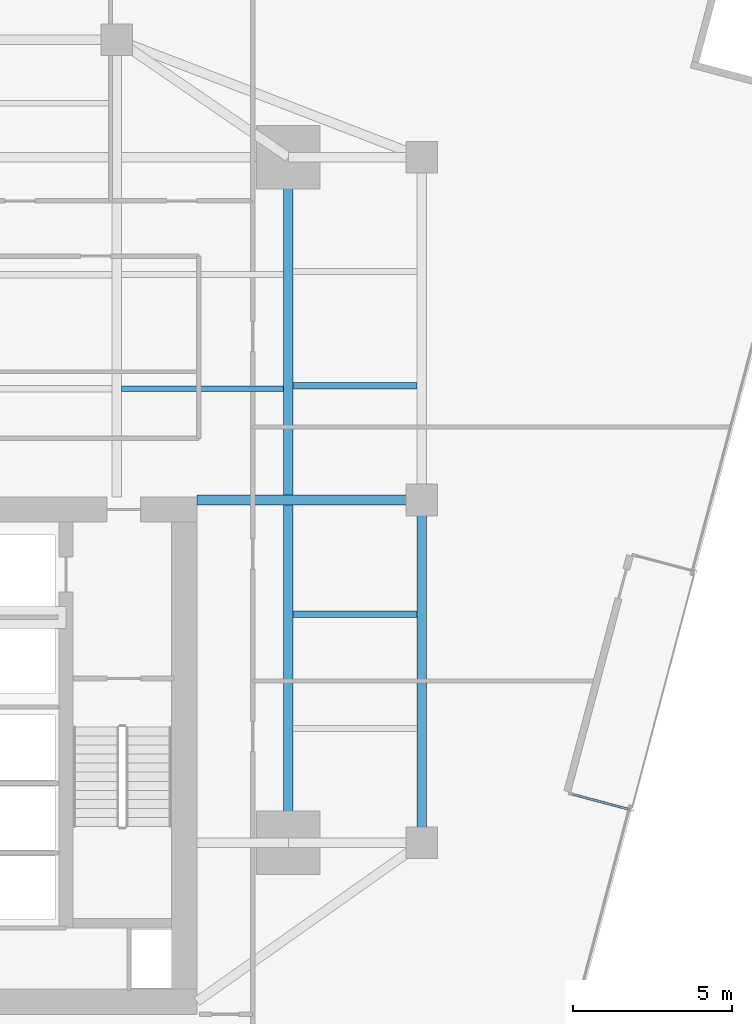
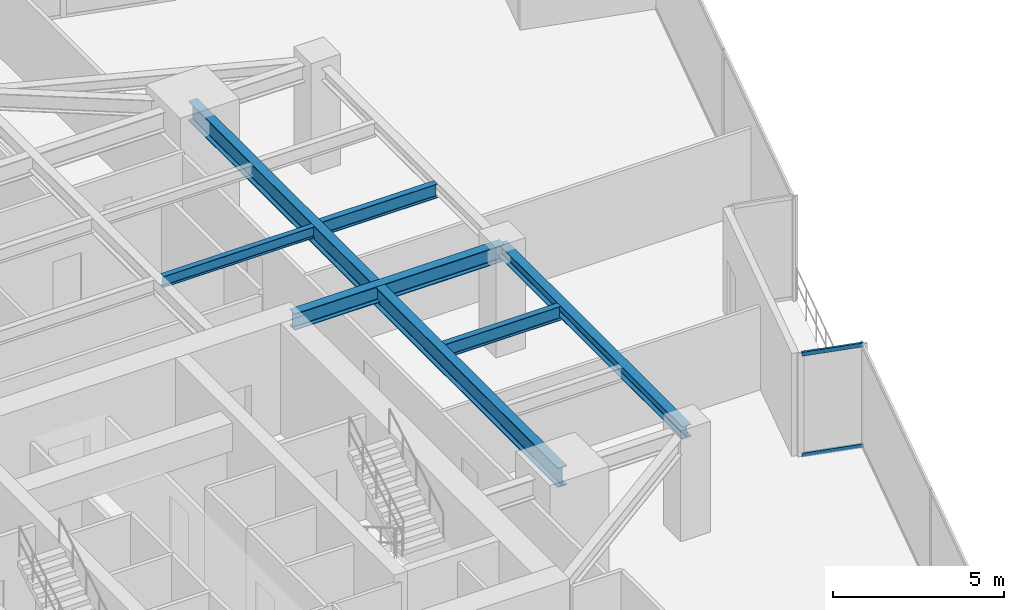
# One storey, part 12 of 27: 6 beams, 2 members, 1 element without a shape of its own.
"""IFC4 building model written with IfcOpenShell, lengths in metres."""

from ifc_helpers import new_model, si_unit, direction, frame, origin, origin_2d, place, context, subcontext, project, spatial, hollow_rectangle, i_section, extrude, source, transform, mapped, material, material_profile, profile_set, type_object, type_shapes, element, aggregate, save


model = new_model("IFC4")

# Units and contexts
model_context = context("Model", 3, precision=1e-05, world=origin(), true_north=direction((0.0, 1.0)))
body_context = subcontext(model_context, "Body", "Model", "MODEL_VIEW")
ifc_project = project(units=[si_unit("LENGTHUNIT", "METRE"), si_unit("AREAUNIT", "SQUARE_METRE"), si_unit("VOLUMEUNIT", "CUBIC_METRE"), si_unit("PLANEANGLEUNIT", "RADIAN"), si_unit("MASSUNIT", "GRAM", prefix="KILO")], contexts=[model_context])

# Site, building, storey
site_placement = place(None, origin())
site = spatial("IfcSite", under=ifc_project, at=site_placement, CompositionType="ELEMENT")
building_placement = place(site_placement, origin())
building = spatial("IfcBuilding", under=site, at=building_placement, Name="Krantzveldt Concourse Tower", CompositionType="ELEMENT")
storey_placement = place(building_placement, frame((0.0, 0.0, 105.85009765625)))
storey = spatial("IfcBuildingStorey", under=building, at=storey_placement, Name="L25", CompositionType="ELEMENT", Elevation=105.85009765625)

# Beams
ifc_material_1 = material(Name="Steel S355J2", Category="steel")
ifc_material_profile_1 = material_profile(ifc_material_1, i_section(OverallWidth=0.300048828125, OverallDepth=0.699951171875, WebThickness=0.01708984375, FlangeThickness=0.031982421875, FilletRadius=0.027099609375, at=origin_2d()), Name="Steel S355J2", Category="steel")
ifc_profile_set_1 = profile_set([ifc_material_profile_1], Name="Steel S355J2 - HEB 700")
beam_type_1 = type_object("IfcBeamType", Name="BM-B-HEB700", PredefinedType="BEAM", material=ifc_profile_set_1)
shared_shape_1 = source(origin(), body_context, "Body", "SweptSolid", [
    extrude(i_section(OverallWidth=0.300048828125, OverallDepth=0.699951171875, WebThickness=0.01708984375, FlangeThickness=0.031982421875, FilletRadius=0.027099609375, at=origin_2d()), origin(), (0.0, 0.0, 1.0), 21.60009765625),
])
type_shapes(beam_type_1, [shared_shape_1])
beam_1_placement = place(storey_placement, frame((46.800048828125, 15.89990234375, 3.31982421875), z_axis=(0.0, 1.0, 0.0), x_axis=(-1.0, 0.0, 0.0)))
element("IfcBeam", 1, at=beam_1_placement, inside=storey, type_object=beam_type_1, Name="L25 Tower Girder BG-ME", PredefinedType="BEAM", context=body_context, shape_type="MappedRepresentation", body=[
    mapped(shared_shape_1, transform((0.0, 0.0, 0.0), x_axis=(1.0, 0.0, 0.0), y_axis=(0.0, 1.0, 0.0), z_axis=(0.0, 0.0, 1.0), scale=1.0)),
])
ifc_material_2 = material(Name="Steel S355JR", Category="steel")
ifc_material_profile_2 = material_profile(ifc_material_2, i_section(OverallWidth=0.300048828125, OverallDepth=0.590087890625, WebThickness=0.012939453125, FlangeThickness=0.02490234375, FilletRadius=0.027099609375, at=origin_2d()), Name="Steel S355JR", Category="steel")
ifc_profile_set_2 = profile_set([ifc_material_profile_2], Name="Steel S355JR - HEA 600")
beam_type_2 = type_object("IfcBeamType", Name="BM-B-HEA600", PredefinedType="BEAM", material=ifc_profile_set_2)
shared_shape_2 = source(origin(), body_context, "Body", "SweptSolid", [
    extrude(i_section(OverallWidth=0.300048828125, OverallDepth=0.590087890625, WebThickness=0.012939453125, FlangeThickness=0.02490234375, FilletRadius=0.027099609375, at=origin_2d()), origin(), (0.0, 0.0, 1.0), 7.080078125),
])
type_shapes(beam_type_2, [shared_shape_2])
beam_2_placement = place(storey_placement, frame((43.919921875, 26.699951171875, 3.375), z_axis=(1.0, 0.0, 0.0), x_axis=(0.0, 1.0, 0.0)))
element("IfcBeam", 2, at=beam_2_placement, inside=storey, type_object=beam_type_2, Name="L25 Tower Girder BG-CE2", PredefinedType="BEAM", context=body_context, shape_type="MappedRepresentation", body=[
    mapped(shared_shape_2, transform((0.0, 0.0, 0.0), x_axis=(1.0, 0.0, 0.0), y_axis=(0.0, 1.0, 0.0), z_axis=(0.0, 0.0, 1.0), scale=1.0)),
])
ifc_material_profile_3 = material_profile(ifc_material_2, i_section(OverallWidth=0.300048828125, OverallDepth=0.43994140625, WebThickness=0.011474609375, FlangeThickness=0.02099609375, FilletRadius=0.027099609375, at=origin_2d()), Name="Steel S355JR", Category="steel")
ifc_profile_set_3 = profile_set([ifc_material_profile_3], Name="Steel S355JR - HEA 450")
beam_type_3 = type_object("IfcBeamType", Name="BM-SP-HEA450", PredefinedType="SPANDREL", material=ifc_profile_set_3)
shared_shape_3 = source(origin(), body_context, "Body", "SweptSolid", [
    extrude(i_section(OverallWidth=0.300048828125, OverallDepth=0.43994140625, WebThickness=0.011474609375, FlangeThickness=0.02099609375, FilletRadius=0.027099609375, at=origin_2d()), origin(), (0.0, 0.0, 1.0), 10.800048828125),
])
type_shapes(beam_type_3, [shared_shape_3])
beam_3_placement = place(storey_placement, frame((51.0, 26.699951171875, 3.449951171875), z_axis=(0.0, -1.0, 0.0), x_axis=(1.0, 0.0, 0.0)))
element("IfcBeam", 3, at=beam_3_placement, inside=storey, type_object=beam_type_3, Name="L25 Tower Girder SP-R07", PredefinedType="SPANDREL", context=body_context, shape_type="MappedRepresentation", body=[
    mapped(shared_shape_3, transform((0.0, 0.0, 0.0), x_axis=(1.0, 0.0, 0.0), y_axis=(0.0, 1.0, 0.0), z_axis=(0.0, 0.0, 1.0), scale=1.0)),
])
ifc_material_profile_4 = material_profile(ifc_material_2, i_section(OverallWidth=0.179931640625, OverallDepth=0.39990234375, WebThickness=0.008544921875, FlangeThickness=0.013427734375, FilletRadius=0.02099609375, at=origin_2d()), Name="Steel S355JR", Category="steel")
ifc_profile_set_4 = profile_set([ifc_material_profile_4], Name="Steel S355JR - IPE 400")
beam_type_4 = type_object("IfcBeamType", Name="BM-J-IPE400", PredefinedType="JOIST", material=ifc_profile_set_4)
shared_shape_4 = source(origin(), body_context, "Body", "SweptSolid", [
    extrude(i_section(OverallWidth=0.179931640625, OverallDepth=0.39990234375, WebThickness=0.008544921875, FlangeThickness=0.013427734375, FilletRadius=0.02099609375, at=origin_2d()), origin(), (0.0, 0.0, 1.0), 5.099853515625),
])
type_shapes(beam_type_4, [shared_shape_4])
beam_4_placement = place(storey_placement, frame((41.550048828125, 30.199951171875, 3.469970703125), z_axis=(1.0, 0.0, 0.0), x_axis=(0.0, 1.0, 0.0)))
element("IfcBeam", 4, at=beam_4_placement, inside=storey, type_object=beam_type_4, Name="L25 Secondary Floor Joist JN-E1", PredefinedType="JOIST", context=body_context, shape_type="MappedRepresentation", body=[
    mapped(shared_shape_4, transform((0.0, 0.0, 0.0), x_axis=(1.0, 0.0, 0.0), y_axis=(0.0, 1.0, 0.0), z_axis=(0.0, 0.0, 1.0), scale=1.0)),
])
ifc_material_profile_5 = material_profile(ifc_material_2, i_section(OverallWidth=0.199951171875, OverallDepth=0.5, WebThickness=0.01025390625, FlangeThickness=0.01611328125, FilletRadius=0.02099609375, at=origin_2d()), Name="Steel S355JR", Category="steel")
ifc_profile_set_5 = profile_set([ifc_material_profile_5], Name="Steel S355JR - IPE 500")
beam_type_5 = type_object("IfcBeamType", Name="BM-J-IPE500", PredefinedType="JOIST", material=ifc_profile_set_5)
shared_shape_5 = source(origin(), body_context, "Body", "SweptSolid", [
    extrude(i_section(OverallWidth=0.199951171875, OverallDepth=0.5, WebThickness=0.01025390625, FlangeThickness=0.01611328125, FilletRadius=0.02099609375, at=origin_2d()), origin(), (0.0, 0.0, 1.0), 3.900146484375),
])
type_shapes(beam_type_5, [shared_shape_5])
for number, where, z_axis, x_axis, name in (
    (5, (46.949951171875, 23.10009765625, 3.419921875), (1.0, 0.0, 0.0), (0.0, 1.0, 0.0), "L25 Secondary Floor Joist JE-2"),
    (6, (46.949951171875, 30.300048828125, 3.419921875), (1.0, 0.0, 0.0), (0.0, 1.0, 0.0), "L25 Secondary Floor Joist JE-3"),
):
    element("IfcBeam", number, at=place(storey_placement, frame(where, z_axis=z_axis, x_axis=x_axis)), inside=storey, type_object=beam_type_5, Name=name, PredefinedType="JOIST", context=body_context, shape_type="MappedRepresentation", body=[
        mapped(shared_shape_5, transform((0.0, 0.0, 0.0), x_axis=(1.0, 0.0, 0.0), y_axis=(0.0, 1.0, 0.0), z_axis=(0.0, 0.0, 1.0), scale=1.0)),
    ])

# Curtain wall, members
ifc_material_3 = material(Name="Anodised aluminium 6063-T6", Category="aluminium")
curtain_wall_type = type_object("IfcCurtainWallType", Name="CW6", PredefinedType="USERDEFINED", material=ifc_material_3)
curtain_wall_placement = place(storey_placement, origin())
curtain_wall = element("IfcCurtainWall", 7, at=curtain_wall_placement, inside=storey, type_object=curtain_wall_type, Name="CW-L25-TR08", ObjectType="UNITISED CURTAIN WALL", PredefinedType="USERDEFINED")
ifc_material_profile_6 = material_profile(ifc_material_3, hollow_rectangle(XDim=0.070068359375, YDim=0.139892578125, WallThickness=0.0048828125, at=origin_2d()), Name="Anodised aluminium 6063-T6", Category="aluminium")
ifc_profile_set_6 = profile_set([ifc_material_profile_6], Name="Anodised aluminium 6063-T6 - ALU-TRAN 140x70x5")
member_type = type_object("IfcMemberType", Name="CW-TRN-150", PredefinedType="USERDEFINED", material=ifc_profile_set_6)
shared_shape_6 = source(origin(), body_context, "Body", "SweptSolid", [
    extrude(hollow_rectangle(XDim=0.070068359375, YDim=0.139892578125, WallThickness=0.0048828125, at=origin_2d()), origin(), (0.0, 0.0, 1.0), 1.85986328125),
])
type_shapes(member_type, [shared_shape_6])
member_1_placement = place(storey_placement, frame((57.549560546875, 16.951171875, 0.034912109375), z_axis=(-0.966478511145, 0.256747517018, 0.0), x_axis=(-0.256747517018, -0.966478511145, 0.0)))
member_1 = element("IfcMember", 8, at=member_1_placement, type_object=member_type, Name="CW-TERR transom 1.1", ObjectType="TRANSOM", PredefinedType="USERDEFINED", context=body_context, shape_type="MappedRepresentation", body=[
    mapped(shared_shape_6, transform((0.0, 0.0, 0.0), x_axis=(1.0, 0.0, 0.0), y_axis=(0.0, 1.0, 0.0), z_axis=(0.0, 0.0, 1.0), scale=1.0)),
])
member_2_placement = place(storey_placement, frame((57.549560546875, 16.951171875, 3.635009765625), z_axis=(-0.966478511145, 0.256747517018, 0.0), x_axis=(-0.256747517018, -0.966478511145, 0.0)))
member_2 = element("IfcMember", 9, at=member_2_placement, type_object=member_type, Name="CW-TERR transom 1.2", ObjectType="TRANSOM", PredefinedType="USERDEFINED", context=body_context, shape_type="MappedRepresentation", body=[
    mapped(shared_shape_6, transform((0.0, 0.0, 0.0), x_axis=(1.0, 0.0, 0.0), y_axis=(0.0, 1.0, 0.0), z_axis=(0.0, 0.0, 1.0), scale=1.0)),
])
aggregate(curtain_wall, [member_1, member_2])

save(model, "model.ifc")
